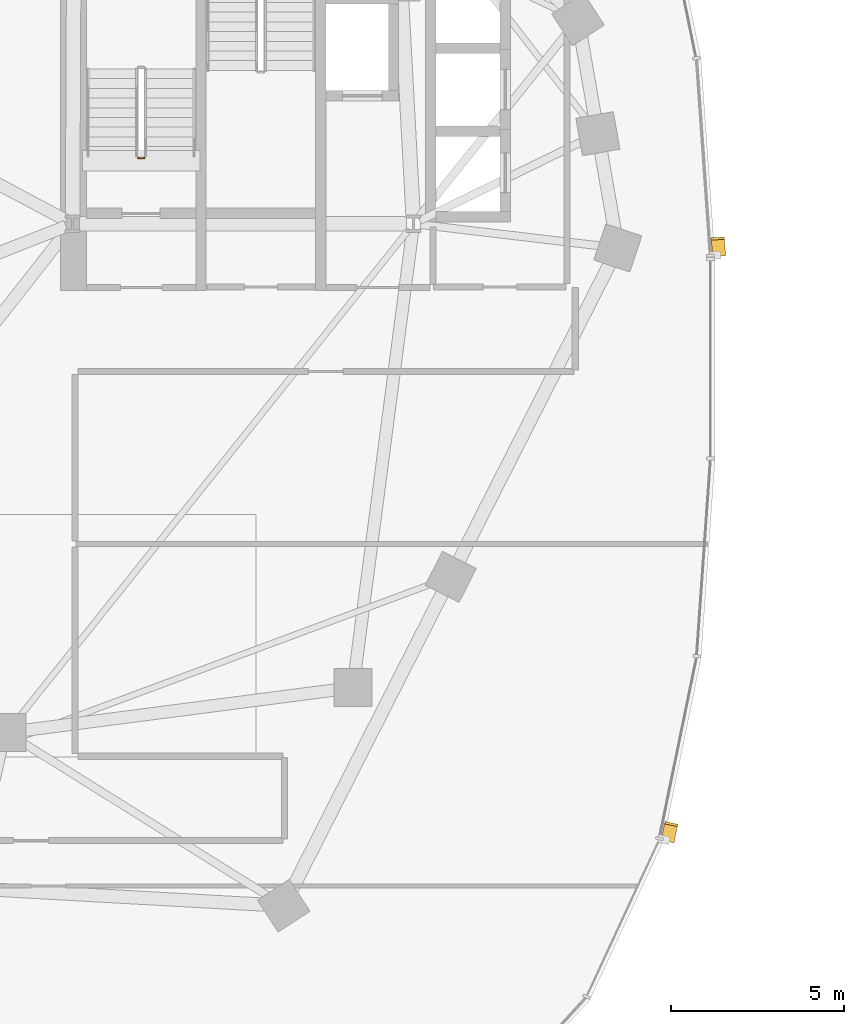
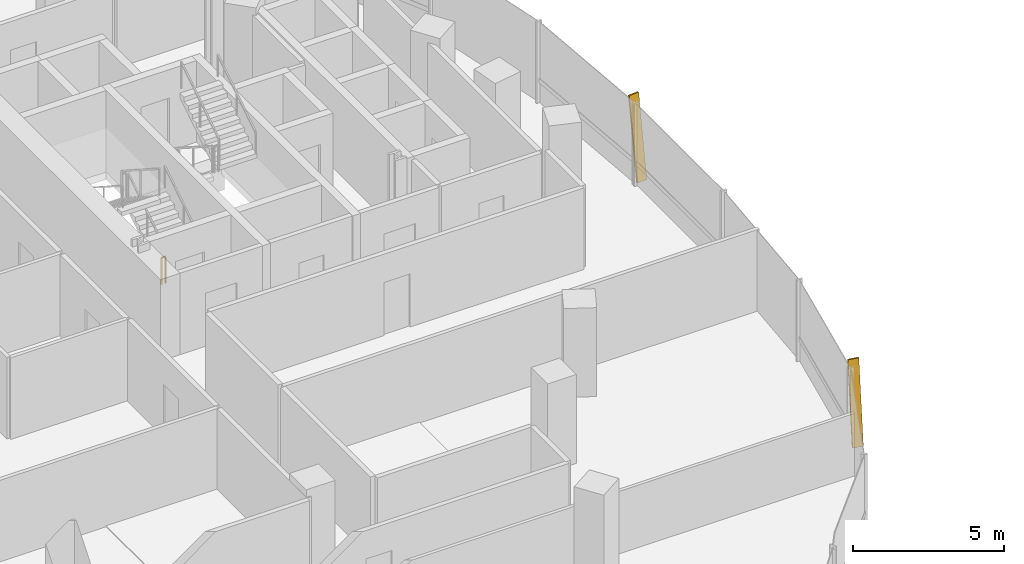
# One storey, part 18 of 21: 2 shading devices, 1 railing.
"""IFC4 building model written with IfcOpenShell, lengths in metres."""

from ifc_helpers import new_model, si_unit, direction, frame, origin, origin_2d, place, context, subcontext, project, spatial, rectangle, extrude, material, material_profile, profile_set, type_object, element, save


model = new_model("IFC4")

# Units and contexts
model_context = context("Model", 3, precision=1e-05, world=origin(), true_north=direction((0.0, 1.0)))
body_context = subcontext(model_context, "Body", "Model", "MODEL_VIEW")
ifc_project = project(units=[si_unit("LENGTHUNIT", "METRE"), si_unit("AREAUNIT", "SQUARE_METRE"), si_unit("VOLUMEUNIT", "CUBIC_METRE"), si_unit("PLANEANGLEUNIT", "RADIAN"), si_unit("MASSUNIT", "GRAM", prefix="KILO"), si_unit("THERMODYNAMICTEMPERATUREUNIT", "KELVIN"), si_unit("POWERUNIT", "WATT")], contexts=[model_context])

# Site, building, storey
site_placement = place(None, origin())
site = spatial("IfcSite", under=ifc_project, at=site_placement, CompositionType="ELEMENT")
building_placement = place(site_placement, origin())
building = spatial("IfcBuilding", under=site, at=building_placement, Name="Cundina Bronze Exchange", CompositionType="ELEMENT")
storey_placement = place(building_placement, frame((0.0, 0.0, 114.199951171875)))
storey = spatial("IfcBuildingStorey", under=building, at=storey_placement, Name="L29", CompositionType="ELEMENT", Elevation=114.199951171875)

# Railing
ifc_material_1 = material(Name="Steel ASTM A36 Painted", Category="steel")
railing_type = type_object("IfcRailingType", Name="RLG-STG-1100", PredefinedType="GUARDRAIL", material=ifc_material_1)
railing_placement = place(storey_placement, frame((-29.239990234375, 5.800048828125, 0.0)))
element("IfcRailing", 1, at=railing_placement, inside=storey, type_object=railing_type, Name="L29 ST-W1 stair guard 4", PredefinedType="GUARDRAIL", context=body_context, shape_type="SweptSolid", body=[
    extrude(rectangle(XDim=0.048095703125, YDim=0.048095703125, at=origin_2d()), frame((0.0, 0.0, 1.076171875), z_axis=(-1.0, 0.0, 0.0), x_axis=(0.0, -1.0, 0.0)), (0.0, 0.0, 1.0), 0.159912109375),
    extrude(rectangle(XDim=0.0419921875, YDim=0.0419921875, at=origin_2d()), origin(), (0.0, 0.0, 1.0), 1.052001953125),
    extrude(rectangle(XDim=0.0419921875, YDim=0.0419921875, at=origin_2d()), frame((-0.159912109375, 0.0, 0.0)), (0.0, 0.0, 1.0), 1.052001953125),
])

# Shading devices
ifc_material_2 = material(Name="Anodised Bronze Aluminium 6063-T6", Category="aluminium")
ifc_material_profile = material_profile(ifc_material_2, rectangle(XDim=0.070068359375, YDim=0.3798828125, at=origin_2d()), Name="FIN70X380", Category="aluminium")
ifc_profile_set = profile_set([ifc_material_profile], Name="Anodised Bronze Aluminium 6063-T6")
shading_device_type = type_object("IfcShadingDeviceType", Name="SHD-FIN-BRZ380", PredefinedType="USERDEFINED", material=ifc_profile_set)
for number, where, z_axis, x_axis, name in (
    (2, (-12.6259765625, 2.993896484375, 0.02001953125), (-0.010224545828, 0.145292278041, 0.989335945271), (0.069450050635, -0.986895284755, 0.145651595925), "L29 Diagonal Bronze Solar Fin 1"),
    (3, (-14.10400390625, -13.911865234375, 0.02001953125), (0.029413888538, 0.142698109128, 0.989329102378), (-0.199728220342, -0.968958570224, 0.145698068578), "L29 Diagonal Bronze Solar Fin 5"),
):
    element("IfcShadingDevice", number, at=place(storey_placement, frame(where, z_axis=z_axis, x_axis=x_axis)), inside=storey, type_object=shading_device_type, Name=name, ObjectType="FIN", PredefinedType="USERDEFINED", context=body_context, shape_type="SweptSolid", body=[
        extrude(rectangle(XDim=0.070068359375, YDim=0.3798828125, at=origin_2d()), origin(), (0.0, 0.0, 1.0), 3.295166015625),
    ])

save(model, "model.ifc")
